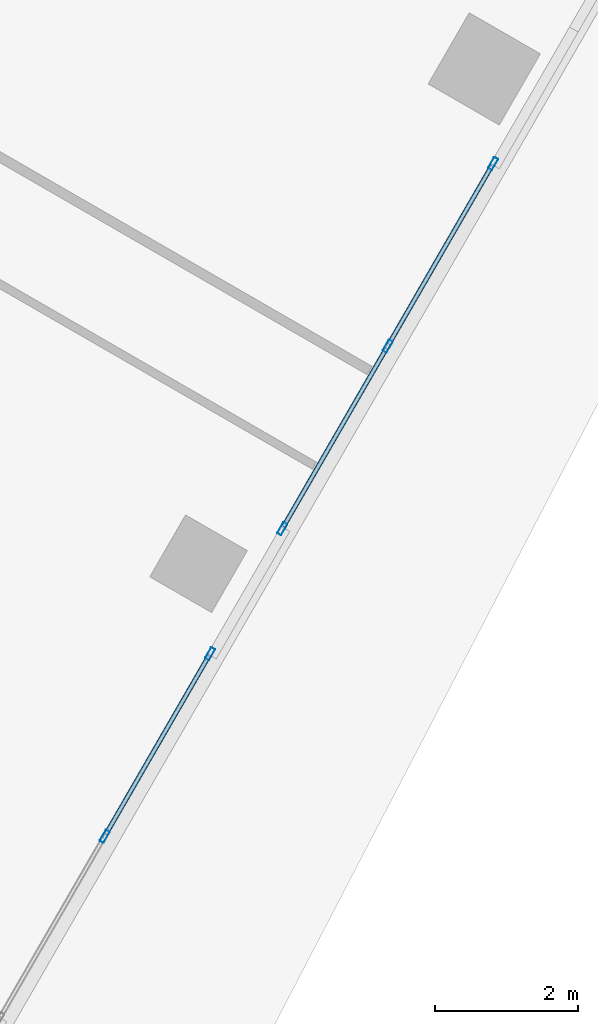
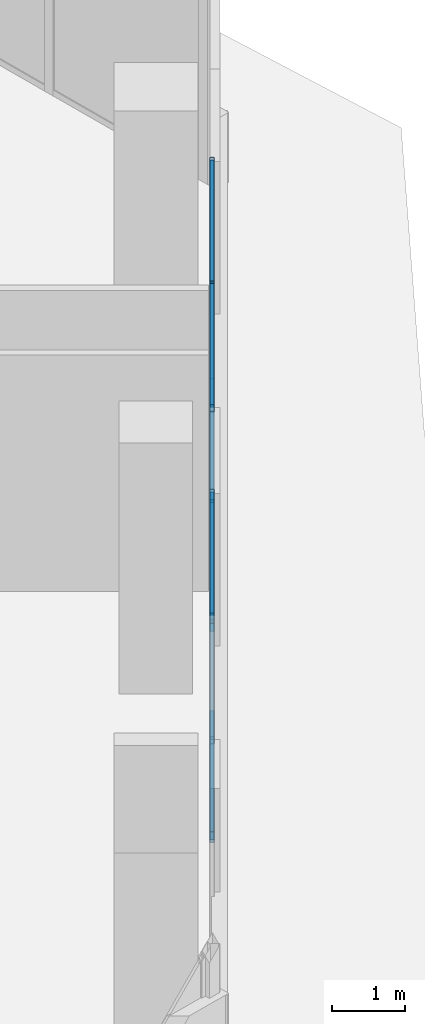
# One storey, part 9 of 21: 11 members, 2 elements without a shape of their own.
"""IFC4 building model written with IfcOpenShell, lengths in metres."""

from ifc_helpers import new_model, si_unit, direction, frame, origin, origin_2d, place, context, subcontext, project, spatial, hollow_rectangle, extrude, source, transform, mapped, material, material_profile, profile_set, type_object, element, aggregate, save


model = new_model("IFC4")

# Units and contexts
model_context = context("Model", 3, precision=1e-05, world=origin(), true_north=direction((0.0, 1.0)))
body_context = subcontext(model_context, "Body", "Model", "MODEL_VIEW")
ifc_project = project(units=[si_unit("LENGTHUNIT", "METRE"), si_unit("AREAUNIT", "SQUARE_METRE"), si_unit("VOLUMEUNIT", "CUBIC_METRE"), si_unit("PLANEANGLEUNIT", "RADIAN"), si_unit("MASSUNIT", "GRAM", prefix="KILO")], contexts=[model_context])

# Site, building, storey
site_placement = place(None, origin())
site = spatial("IfcSite", under=ifc_project, at=site_placement, CompositionType="ELEMENT")
building_placement = place(site_placement, origin())
building = spatial("IfcBuilding", under=site, at=building_placement, Name="Torre Montelarca", CompositionType="ELEMENT")
storey_placement = place(building_placement, frame((0.0, 0.0, 179.199951171875)))
storey = spatial("IfcBuildingStorey", under=building, at=storey_placement, Name="L40", CompositionType="ELEMENT", Elevation=179.199951171875)

# Curtain wall, members
ifc_material_1 = material(Name="Insulated low-E laminated glass", Category="glass")
curtain_wall_type = type_object("IfcCurtainWallType", Name="CW-SYS-Z2", PredefinedType="USERDEFINED", material=ifc_material_1)
curtain_wall_1_placement = place(storey_placement, origin())
curtain_wall_1 = element("IfcCurtainWall", 1, at=curtain_wall_1_placement, inside=storey, type_object=curtain_wall_type, Name="L40 Curtain Wall Run CW-T3-L40-E06-B1", ObjectType="UNITISED GLAZING", PredefinedType="USERDEFINED")
ifc_material_2 = material(Name="Anodised aluminium AA 6063-T6", Category="aluminium")
ifc_material_profile_1 = material_profile(ifc_material_2, hollow_rectangle(XDim=0.06494140625, YDim=0.179931640625, WallThickness=0.00390625, InnerFilletRadius=0.00390625, OuterFilletRadius=0.008056640625, at=origin_2d()), Name="ALU65X180X4", Category="aluminium")
ifc_profile_set_1 = profile_set([ifc_material_profile_1], Name="Anodised aluminium AA 6063-T6")
member_type_1 = type_object("IfcMemberType", Name="CWM-ALU180", PredefinedType="MULLION", material=ifc_profile_set_1)
shared_shape_1 = source(origin(), body_context, "Body", "SweptSolid", [
    extrude(hollow_rectangle(XDim=0.06494140625, YDim=0.179931640625, WallThickness=0.00390625, InnerFilletRadius=0.00390625, OuterFilletRadius=0.008056640625, at=origin_2d()), origin(), (0.0, 0.0, 1.0), 3.719970703125),
])
member_1_placement = place(storey_placement, frame((43.13525390625, 14.933349609375, 0.0), z_axis=(0.0, 0.0, 1.0), x_axis=(-0.866023663049, 0.50000301503, 0.0)))
member_1 = element("IfcMember", 2, at=member_1_placement, type_object=member_type_1, Name="CW mullion 2", PredefinedType="MULLION", context=body_context, shape_type="MappedRepresentation", body=[
    mapped(shared_shape_1, transform((0.0, 0.0, 0.0), scale=1.0)),
])
member_2_placement = place(storey_placement, frame((44.6103515625, 17.488037109375, 0.0), z_axis=(0.0, 0.0, 1.0), x_axis=(-0.866023663049, 0.50000301503, 0.0)))
member_2 = element("IfcMember", 3, at=member_2_placement, type_object=member_type_1, Name="CW mullion 3", PredefinedType="MULLION", context=body_context, shape_type="MappedRepresentation", body=[
    mapped(shared_shape_1, transform((0.0, 0.0, 0.0), scale=1.0)),
])

curtain_wall_2_placement = place(storey_placement, origin())
curtain_wall_2 = element("IfcCurtainWall", 4, at=curtain_wall_2_placement, inside=storey, type_object=curtain_wall_type, Name="L40 Curtain Wall Run CW-T3-L40-E06-B2", ObjectType="UNITISED GLAZING", PredefinedType="USERDEFINED")
member_3_placement = place(storey_placement, frame((45.622802734375, 19.241943359375, 0.0), z_axis=(0.0, 0.0, 1.0), x_axis=(-0.866027854146, 0.499995755824, 0.0)))
member_3 = element("IfcMember", 5, at=member_3_placement, type_object=member_type_1, Name="CW mullion 1", PredefinedType="MULLION", context=body_context, shape_type="MappedRepresentation", body=[
    mapped(shared_shape_1, transform((0.0, 0.0, 0.0), scale=1.0)),
])
member_4_placement = place(storey_placement, frame((47.09765625, 21.796630859375, 0.0), z_axis=(0.0, 0.0, 1.0), x_axis=(-0.866027854146, 0.499995755824, 0.0)))
member_4 = element("IfcMember", 6, at=member_4_placement, type_object=member_type_1, Name="CW mullion 2", PredefinedType="MULLION", context=body_context, shape_type="MappedRepresentation", body=[
    mapped(shared_shape_1, transform((0.0, 0.0, 0.0), scale=1.0)),
])
member_5_placement = place(storey_placement, frame((48.57275390625, 24.3515625, 0.0), z_axis=(0.0, 0.0, 1.0), x_axis=(-0.866027854146, 0.499995755824, 0.0)))
member_5 = element("IfcMember", 7, at=member_5_placement, type_object=member_type_1, Name="CW mullion 3", PredefinedType="MULLION", context=body_context, shape_type="MappedRepresentation", body=[
    mapped(shared_shape_1, transform((0.0, 0.0, 0.0), scale=1.0)),
])

# Member
ifc_material_profile_2 = material_profile(ifc_material_2, hollow_rectangle(XDim=0.06494140625, YDim=0.139892578125, WallThickness=0.00390625, InnerFilletRadius=0.00390625, OuterFilletRadius=0.008056640625, at=origin_2d()), Name="ALU65X140X4", Category="aluminium")
ifc_profile_set_2 = profile_set([ifc_material_profile_2], Name="Anodised aluminium AA 6063-T6")
member_type_2 = type_object("IfcMemberType", Name="CWT-ALU140", PredefinedType="USERDEFINED", material=ifc_profile_set_2)
shared_shape_2 = source(origin(), body_context, "Body", "SweptSolid", [
    extrude(hollow_rectangle(XDim=0.06494140625, YDim=0.139892578125, WallThickness=0.00390625, InnerFilletRadius=0.00390625, OuterFilletRadius=0.008056640625, at=origin_2d()), origin(), (0.0, 0.0, 1.0), 2.885009765625),
])
member_6_placement = place(storey_placement, frame((43.151611328125, 14.96142578125, 0.032470703125), z_axis=(0.49996174997, 0.866047486323, 0.0), x_axis=(-0.866047486323, 0.49996174997, 0.0)))
member_6 = element("IfcMember", 8, at=member_6_placement, type_object=member_type_2, Name="CW transom 2.1", ObjectType="TRANSOM", PredefinedType="USERDEFINED", context=body_context, shape_type="MappedRepresentation", body=[
    mapped(shared_shape_2, transform((0.0, 0.0, 0.0), scale=1.0)),
])

member_7_placement = place(storey_placement, frame((43.151611328125, 14.96142578125, 3.6875), z_axis=(0.49996174997, 0.866047486323, 0.0), x_axis=(-0.866047486323, 0.49996174997, 0.0)))
member_7 = element("IfcMember", 9, at=member_7_placement, type_object=member_type_2, Name="CW transom 2.2", ObjectType="TRANSOM", PredefinedType="USERDEFINED", context=body_context, shape_type="MappedRepresentation", body=[
    mapped(shared_shape_2, transform((0.0, 0.0, 0.0), scale=1.0)),
])

aggregate(curtain_wall_1, [member_1, member_2, member_6, member_7])

member_8_placement = place(storey_placement, frame((45.638916015625, 19.27001953125, 0.032470703125), z_axis=(0.50002521758, 0.866010843918, 0.0), x_axis=(-0.866010843918, 0.50002521758, 0.0)))
member_8 = element("IfcMember", 10, at=member_8_placement, type_object=member_type_2, Name="CW transom 1.1", ObjectType="TRANSOM", PredefinedType="USERDEFINED", context=body_context, shape_type="MappedRepresentation", body=[
    mapped(shared_shape_2, transform((0.0, 0.0, 0.0), scale=1.0)),
])

member_9_placement = place(storey_placement, frame((45.638916015625, 19.27001953125, 3.6875), z_axis=(0.50002521758, 0.866010843918, 0.0), x_axis=(-0.866010843918, 0.50002521758, 0.0)))
member_9 = element("IfcMember", 11, at=member_9_placement, type_object=member_type_2, Name="CW transom 1.2", ObjectType="TRANSOM", PredefinedType="USERDEFINED", context=body_context, shape_type="MappedRepresentation", body=[
    mapped(shared_shape_2, transform((0.0, 0.0, 0.0), scale=1.0)),
])

member_10_placement = place(storey_placement, frame((47.114013671875, 21.82470703125, 0.032470703125), z_axis=(0.49996174997, 0.866047486323, 0.0), x_axis=(-0.866047486323, 0.49996174997, 0.0)))
member_10 = element("IfcMember", 12, at=member_10_placement, type_object=member_type_2, Name="CW transom 2.1", ObjectType="TRANSOM", PredefinedType="USERDEFINED", context=body_context, shape_type="MappedRepresentation", body=[
    mapped(shared_shape_2, transform((0.0, 0.0, 0.0), scale=1.0)),
])

member_11_placement = place(storey_placement, frame((47.114013671875, 21.82470703125, 3.6875), z_axis=(0.49996174997, 0.866047486323, 0.0), x_axis=(-0.866047486323, 0.49996174997, 0.0)))
member_11 = element("IfcMember", 13, at=member_11_placement, type_object=member_type_2, Name="CW transom 2.2", ObjectType="TRANSOM", PredefinedType="USERDEFINED", context=body_context, shape_type="MappedRepresentation", body=[
    mapped(shared_shape_2, transform((0.0, 0.0, 0.0), scale=1.0)),
])

aggregate(curtain_wall_2, [member_3, member_4, member_5, member_8, member_9, member_10, member_11])

save(model, "model.ifc")
